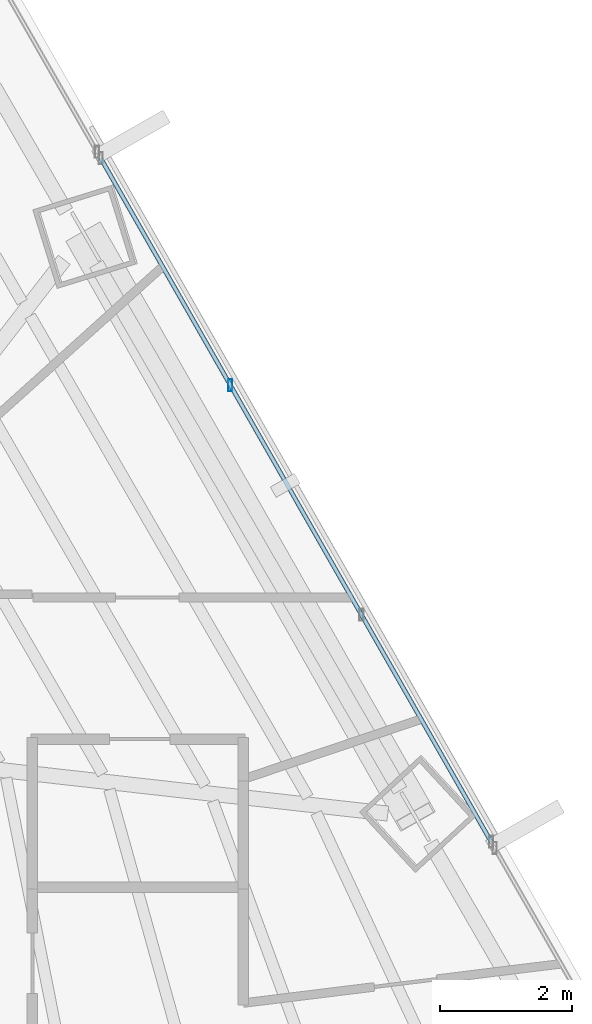
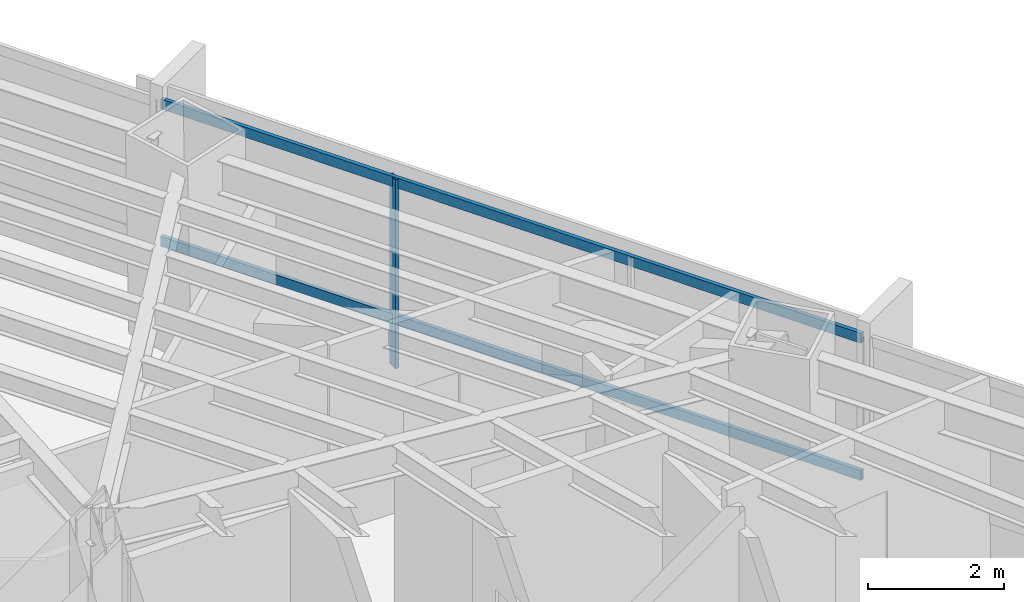
# One storey, part 24 of 38: 3 members, 1 element without a shape of its own.
"""IFC4 building model written with IfcOpenShell, lengths in metres."""

from ifc_helpers import new_model, si_unit, direction, frame, origin, origin_2d, place, context, subcontext, project, spatial, hollow_rectangle, extrude, source, transform, mapped, material, material_profile, profile_set, type_object, type_shapes, element, aggregate, save


model = new_model("IFC4")

# Units and contexts
model_context = context("Model", 3, precision=1e-05, world=origin(), true_north=direction((0.0, 1.0)))
body_context = subcontext(model_context, "Body", "Model", "MODEL_VIEW")
ifc_project = project(units=[si_unit("LENGTHUNIT", "METRE"), si_unit("AREAUNIT", "SQUARE_METRE"), si_unit("VOLUMEUNIT", "CUBIC_METRE"), si_unit("PLANEANGLEUNIT", "RADIAN"), si_unit("MASSUNIT", "GRAM", prefix="KILO")], contexts=[model_context])

# Site, building, storey
site_placement = place(None, origin())
site = spatial("IfcSite", under=ifc_project, at=site_placement, CompositionType="ELEMENT")
building_placement = place(site_placement, origin())
building = spatial("IfcBuilding", under=site, at=building_placement, Name="Caelisora Broadcast Tower", CompositionType="ELEMENT")
storey_placement = place(building_placement, frame((0.0, 0.0, 67.75)))
storey = spatial("IfcBuildingStorey", under=building, at=storey_placement, Name="L17", CompositionType="ELEMENT", Elevation=67.75)

# Curtain wall, members
ifc_material_1 = material(Name="Unitised Aluminium Insulated Shadow-Box Spandrel Curtain Wall", Category="aluminium")
curtain_wall_type = type_object("IfcCurtainWallType", Name="CW-SP1", PredefinedType="NOTDEFINED", material=ifc_material_1)
curtain_wall_placement = place(storey_placement, origin())
curtain_wall = element("IfcCurtainWall", 1, at=curtain_wall_placement, inside=storey, type_object=curtain_wall_type, Name="L17 curtain wall CW-SP1", PredefinedType="NOTDEFINED")
ifc_material_2 = material(Name="Aluminium 6063-T6 Anodised Terracotta Bronze", Category="aluminium")
ifc_material_profile_1 = material_profile(ifc_material_2, hollow_rectangle(XDim=0.06494140625, YDim=0.179931640625, WallThickness=0.00341796875, at=origin_2d()), Name="Aluminium 6063-T6 Anodised Terracotta Bronze")
ifc_profile_set_1 = profile_set([ifc_material_profile_1], Name="Aluminium 6063-T6 Anodised Terracotta Bronze")
member_type_1 = type_object("IfcMemberType", Name="CWM-02", PredefinedType="MULLION", material=ifc_profile_set_1)
shared_shape_1 = source(origin(), body_context, "Body", "SweptSolid", [
    extrude(hollow_rectangle(XDim=0.06494140625, YDim=0.179931640625, WallThickness=0.00341796875, at=origin_2d()), origin(), (0.0, 0.0, 1.0), 3.39990234375),
])
type_shapes(member_type_1, [shared_shape_1])
member_1_placement = place(storey_placement, frame((53.604736328125, 35.325439453125, 0.0), z_axis=(0.0, 0.0, 1.0), x_axis=(1.0, 0.0, 0.0)))
member_1 = element("IfcMember", 2, at=member_1_placement, type_object=member_type_1, Name="L17-CW-B02 mullion #1", PredefinedType="MULLION", context=body_context, shape_type="MappedRepresentation", body=[
    mapped(shared_shape_1, transform((0.0, 0.0, 0.0), scale=1.0)),
])
ifc_material_profile_2 = material_profile(ifc_material_2, hollow_rectangle(XDim=0.06494140625, YDim=0.179931640625, WallThickness=0.00341796875, at=origin_2d()), Name="Aluminium 6063-T6 Anodised Terracotta Bronze")
ifc_profile_set_2 = profile_set([ifc_material_profile_2], Name="Aluminium 6063-T6 Anodised Terracotta Bronze")
member_type_2 = type_object("IfcMemberType", Name="CWT-01", PredefinedType="USERDEFINED", material=ifc_profile_set_2)
shared_shape_2 = source(origin(), body_context, "Body", "SweptSolid", [
    extrude(hollow_rectangle(XDim=0.06494140625, YDim=0.179931640625, WallThickness=0.00341796875, at=origin_2d()), origin(), (0.0, 0.0, 1.0), 11.955322265625),
])
type_shapes(member_type_2, [shared_shape_2])
member_2_placement = place(storey_placement, frame((51.636474609375, 38.771240234375, 0.85009765625), z_axis=(0.495989385196, -0.868328583989, 0.0), x_axis=(0.868328583989, 0.495989385196, 0.0)))
member_2 = element("IfcMember", 3, at=member_2_placement, type_object=member_type_2, Name="L17-CW-B02 transom #1", ObjectType="TRANSOM", PredefinedType="USERDEFINED", context=body_context, shape_type="MappedRepresentation", body=[
    mapped(shared_shape_2, transform((0.0, 0.0, 0.0), scale=1.0)),
])
member_3_placement = place(storey_placement, frame((51.636474609375, 38.771240234375, 3.320068359375), z_axis=(0.495989385196, -0.868328583989, 0.0), x_axis=(0.868328583989, 0.495989385196, 0.0)))
member_3 = element("IfcMember", 4, at=member_3_placement, type_object=member_type_2, Name="L17-CW-B02 transom #2", ObjectType="TRANSOM", PredefinedType="USERDEFINED", context=body_context, shape_type="MappedRepresentation", body=[
    mapped(shared_shape_2, transform((0.0, 0.0, 0.0), scale=1.0)),
])
aggregate(curtain_wall, [member_1, member_2, member_3])

save(model, "model.ifc")
